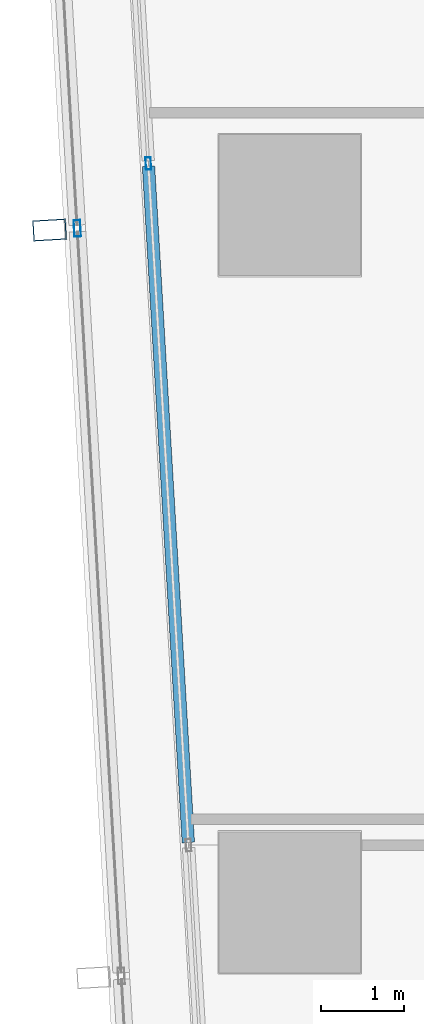
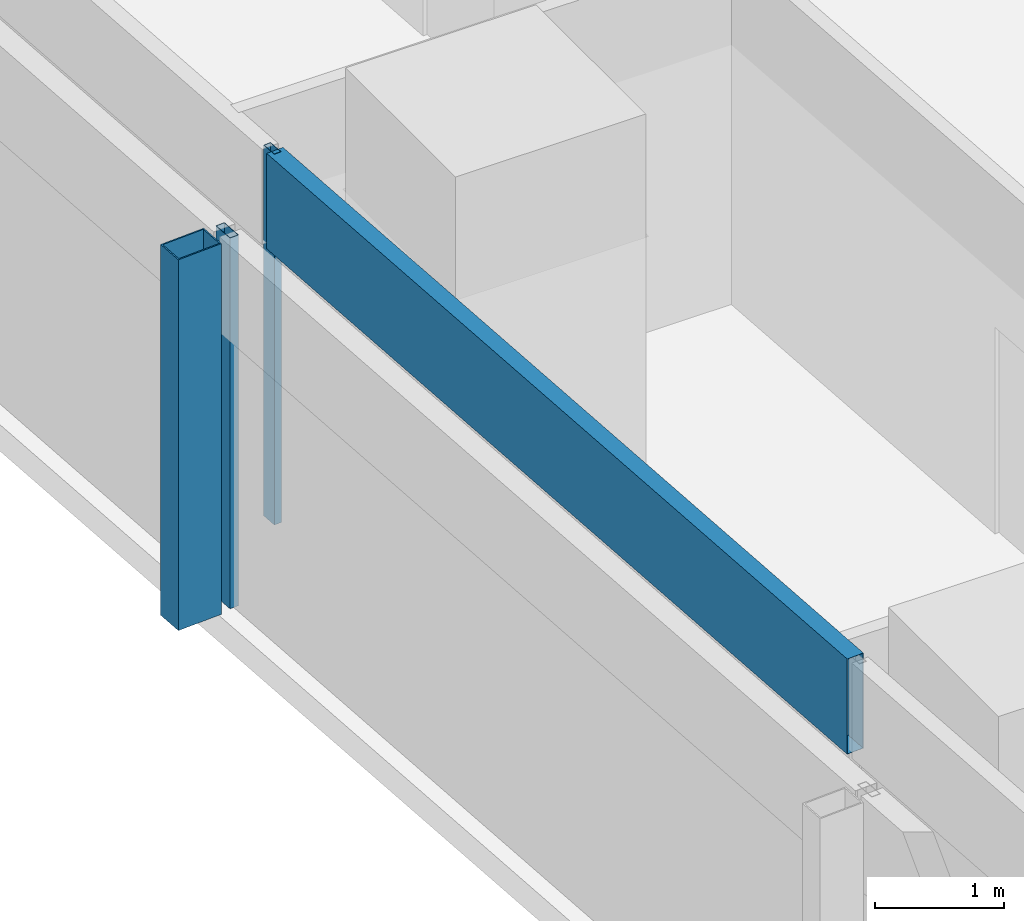
# One storey, part 8 of 39: 4 members, 2 elements without a shape of their own.
"""IFC4 building model written with IfcOpenShell, lengths in metres."""

import ifcopenshell
import ifcopenshell.guid

model = None  # the IFC model being written
_history = None  # IfcOwnerHistory: only IFC2X3 demands one
_inside = {}  # id of a spatial element -> (the spatial element, [elements in it])
_under = {}  # id of a project, library or spatial element -> (it, [spatial elements below it])
_declared = {}  # id of a project -> (the project, [libraries it declares])
_typed = {}  # id of a type object -> (the type object, [elements of that type])
_made_of = {}  # id of a material, layer set ... -> (it, [elements and type objects made of it])


def new_model(schema):
    """Start an empty IFC model of exactly this schema.

    Asked for "IFC4X3", IfcOpenShell would pick the latest addendum, in which some entities
    have other attributes; the version numbers below select the first issue.
    IFC2X3 requires an IfcOwnerHistory on every rooted entity: one is made here for all.
    """
    global model, _history
    if schema == "IFC4X3":
        model = ifcopenshell.file(schema_version=(4, 3, 0, 0))
    else:
        model = ifcopenshell.file(schema=schema)
    _inside.clear()
    _under.clear()
    _declared.clear()
    _typed.clear()
    _made_of.clear()
    _history = None
    if model.schema == "IFC2X3":
        org = make("IfcOrganization", Name="unknown")
        user = make(
            "IfcPersonAndOrganization",
            ThePerson=make("IfcPerson", FamilyName="unknown"),
            TheOrganization=org,
        )
        app = make(
            "IfcApplication",
            ApplicationDeveloper=org,
            Version="unknown",
            ApplicationFullName="unknown",
            ApplicationIdentifier="unknown",
        )
        _history = make(
            "IfcOwnerHistory",
            OwningUser=user,
            OwningApplication=app,
            ChangeAction="ADDED",
            CreationDate=0,
        )
    return model


def make(cls, **values):
    """One entity of the class cls with the attributes given. An attribute that is None is left unset."""
    return model.create_entity(
        cls, **{name: value for name, value in values.items() if value is not None}
    )


def rooted(cls, **values):
    """An entity with a GlobalId (a new one), such as an element, a storey or a relation."""
    return make(cls, GlobalId=ifcopenshell.guid.new(), OwnerHistory=_history, **values)


def si_unit(unit_type, name, prefix=None):
    """IfcSIUnit, for example si_unit("LENGTHUNIT", "METRE", prefix="MILLI")."""
    return make("IfcSIUnit", UnitType=unit_type, Prefix=prefix, Name=name)


def assignment(units):
    """IfcUnitAssignment: the units of a project."""
    return None if units is None else make("IfcUnitAssignment", Units=units)


def point(xyz):
    """IfcCartesianPoint."""
    return None if xyz is None else make("IfcCartesianPoint", Coordinates=xyz)


def direction(xyz):
    """IfcDirection."""
    return None if xyz is None else make("IfcDirection", DirectionRatios=xyz)


def frame(location, z_axis=None, x_axis=None):
    """IfcAxis2Placement3D, a coordinate frame: its origin and axes. An axis left out is left unset."""
    return make(
        "IfcAxis2Placement3D",
        Location=point(location),
        Axis=direction(z_axis),
        RefDirection=direction(x_axis),
    )


def frame_2d(location, x_axis=None):
    """IfcAxis2Placement2D, a coordinate frame in the plane: its origin and x axis."""
    return make(
        "IfcAxis2Placement2D", Location=point(location), RefDirection=direction(x_axis)
    )


def origin():
    """The frame at (0, 0, 0) with its axes left unset."""
    return frame((0.0, 0.0, 0.0))


def origin_2d():
    """The frame at (0, 0) in the plane with its x axis left unset."""
    return frame_2d((0.0, 0.0))


def place(relative_to, where):
    """IfcLocalPlacement: puts the frame where relative to a parent placement (None: the world)."""
    return make(
        "IfcLocalPlacement", PlacementRelTo=relative_to, RelativePlacement=where
    )


def context(
    kind, dimensions, precision=None, world=None, true_north=None, identifier=None
):
    """IfcGeometricRepresentationContext, for example the 3D "Model" context."""
    return make(
        "IfcGeometricRepresentationContext",
        ContextIdentifier=identifier,
        ContextType=kind,
        CoordinateSpaceDimension=dimensions,
        Precision=precision,
        WorldCoordinateSystem=world,
        TrueNorth=true_north,
    )


def subcontext(parent, identifier, kind, view, scale=None):
    """IfcGeometricRepresentationSubContext, for example "Body" below "Model"."""
    return make(
        "IfcGeometricRepresentationSubContext",
        ContextIdentifier=identifier,
        ContextType=kind,
        ParentContext=parent,
        TargetScale=scale,
        TargetView=view,
    )


def project(units=None, contexts=None):
    """IfcProject with its units and contexts."""
    return rooted(
        "IfcProject",
        Name="project",
        RepresentationContexts=contexts,
        UnitsInContext=assignment(units),
    )


def spatial(cls, under=None, at=None, **own):
    """A site, building, storey or space (cls), placed at a placement, below another one or the project."""
    s = rooted(cls, ObjectPlacement=at, **own)
    if under is not None:
        _under.setdefault(under.id(), (under, []))[1].append(s)
    return s


def profile(cls, at=None, kind="AREA", **sizes):
    """A parametric profile (cls). Its sizes go by their IFC names, for example OverallWidth=200.0."""
    return make(cls, ProfileType=kind, Position=at, **sizes)


def hollow_rectangle(**sizes):
    """IfcRectangleHollowProfileDef."""
    return profile("IfcRectangleHollowProfileDef", **sizes)


def extrude(swept, where, along, depth):
    """IfcExtrudedAreaSolid: the profile swept, set in the frame where, extruded along a direction by depth."""
    return make(
        "IfcExtrudedAreaSolid",
        SweptArea=swept,
        Position=where,
        ExtrudedDirection=direction(along),
        Depth=depth,
    )


def shape(context_of_items, identifier, shape_type, items):
    """IfcShapeRepresentation: the items that make up one representation, for example the "Body"."""
    return make(
        "IfcShapeRepresentation",
        ContextOfItems=context_of_items,
        RepresentationIdentifier=identifier,
        RepresentationType=shape_type,
        Items=items,
    )


def material(Name=None, Category=None):
    """IfcMaterial."""
    return make("IfcMaterial", Name=Name, Category=Category)


def material_profile(
    of_material, cross_section, Name=None, Category=None, Priority=None
):
    """IfcMaterialProfile: a cross section and its material."""
    return make(
        "IfcMaterialProfile",
        Name=Name,
        Material=of_material,
        Profile=cross_section,
        Priority=Priority,
        Category=Category,
    )


def profile_set(profiles, Name=None, composite=None):
    """IfcMaterialProfileSet."""
    return make(
        "IfcMaterialProfileSet",
        Name=Name,
        MaterialProfiles=profiles,
        CompositeProfile=composite,
    )


def made_of(thing, what):
    """Note that an element or type object is made of a material, layer set ...; save() writes the relation."""
    if what is not None:
        _made_of.setdefault(what.id(), (what, []))[1].append(thing)
    return thing


def type_object(cls, material=None, **own):
    """A type object (cls), such as IfcWallType, which elements share."""
    return made_of(rooted(cls, **own), material)


def element(
    cls,
    number,
    at=None,
    inside=None,
    cuts=None,
    type_object=None,
    material=None,
    context=None,
    identifier="Body",
    shape_type=None,
    held_by="IfcProductDefinitionShape",
    body=None,
    shapes=None,
    **own,
):
    """One element of the class cls, such as IfcWall. Its Tag is "e" and its number.

    at: its placement. inside: the storey or other place that contains it. cuts: it is an
    opening in that element (IfcRelVoidsElement). A single representation is given by context,
    identifier, shape_type and body (its items); several are given by shapes. held_by: the class
    of the entity that holds the representations. save() writes the other relations.
    """
    e = rooted(cls, Tag="e%d" % number, ObjectPlacement=at, **own)
    if body is not None:
        shapes = [shape(context, identifier, shape_type, body)]
    if shapes is not None:
        e.Representation = make(held_by, Representations=shapes)
    if inside is not None:
        _inside.setdefault(inside.id(), (inside, []))[1].append(e)
    if cuts is not None:
        rooted(
            "IfcRelVoidsElement", RelatingBuildingElement=cuts, RelatedOpeningElement=e
        )
    if type_object is not None:
        _typed.setdefault(type_object.id(), (type_object, []))[1].append(e)
    return made_of(e, material)


def aggregate(whole, parts):
    """IfcRelAggregates: a whole, such as a stair, and the parts it consists of."""
    return rooted("IfcRelAggregates", RelatingObject=whole, RelatedObjects=parts)


def save(model, path):
    """Write the relations noted so far, then the file.

    IfcRelAggregates (storeys below a building ...), IfcRelContainedInSpatialStructure (elements
    in a storey), IfcRelDefinesByType, IfcRelAssociatesMaterial and IfcRelDeclares: one each for
    every whole, place, type object, material and project.
    """
    for whole, parts in _under.values():
        aggregate(whole, parts)
    for where, things in _inside.values():
        rooted(
            "IfcRelContainedInSpatialStructure",
            RelatedElements=things,
            RelatingStructure=where,
        )
    for kind, things in _typed.values():
        rooted("IfcRelDefinesByType", RelatedObjects=things, RelatingType=kind)
    for what, things in _made_of.values():
        rooted("IfcRelAssociatesMaterial", RelatedObjects=things, RelatingMaterial=what)
    for by, libraries in _declared.values():
        rooted("IfcRelDeclares", RelatingContext=by, RelatedDefinitions=libraries)
    model.write(path)


model = new_model("IFC4")

# Units and contexts
model_context = context("Model", 3, precision=1e-05, world=origin(), true_north=direction((0.0, 1.0)))
body_context = subcontext(model_context, "Body", "Model", "MODEL_VIEW")
ifc_project = project(units=[si_unit("LENGTHUNIT", "METRE"), si_unit("AREAUNIT", "SQUARE_METRE"), si_unit("VOLUMEUNIT", "CUBIC_METRE"), si_unit("PLANEANGLEUNIT", "RADIAN"), si_unit("MASSUNIT", "GRAM", prefix="KILO")], contexts=[model_context])

# Site, building, storey
site_placement = place(None, origin())
site = spatial("IfcSite", under=ifc_project, at=site_placement, CompositionType="ELEMENT")
building_placement = place(site_placement, origin())
building = spatial("IfcBuilding", under=site, at=building_placement, Name="Rekha Terrace Tower", CompositionType="ELEMENT")
storey_placement = place(building_placement, frame((0.0, 0.0, 183.949951171875)))
storey = spatial("IfcBuildingStorey", under=building, at=storey_placement, Name="L46", CompositionType="ELEMENT", Elevation=183.949951171875)

# Curtain wall, member
ifc_material_1 = material(Name="Aluminium framing", Category="aluminium")
curtain_wall_type_1 = type_object("IfcCurtainWallType", Name="CW2 double skin outer glazing", PredefinedType="USERDEFINED", material=ifc_material_1)
curtain_wall_1_placement = place(storey_placement, origin())
curtain_wall_1 = element("IfcCurtainWall", 1, at=curtain_wall_1_placement, inside=storey, type_object=curtain_wall_type_1, Name="CW2 double skin outer glazing", ObjectType="DOUBLE SKIN OUTER GLAZING", PredefinedType="USERDEFINED")
ifc_material_2 = material(Name="Steel S355 with fluorocarbon finish", Category="steel")
ifc_material_profile_1 = material_profile(ifc_material_2, hollow_rectangle(XDim=0.25, YDim=0.39990234375, WallThickness=0.012451171875, at=origin_2d()), Name="RHS400x250x12.5")
ifc_profile_set_1 = profile_set([ifc_material_profile_1], Name="Steel S355 with fluorocarbon finish")
member_type_1 = type_object("IfcMemberType", Name="BL1 facade blade RHS 400 x 250", PredefinedType="USERDEFINED", material=ifc_profile_set_1)
member_1_placement = place(storey_placement, frame((5.50634765625, 33.300048828125, 0.0), z_axis=(0.0, 0.0, 1.0), x_axis=(0.058764522885, -0.998271872212, 0.0)))
member_1 = element("IfcMember", 2, at=member_1_placement, type_object=member_type_1, Name="Facade blade", ObjectType="FACADE BLADE", PredefinedType="USERDEFINED", context=body_context, shape_type="SweptSolid", body=[
    extrude(hollow_rectangle(XDim=0.25, YDim=0.39990234375, WallThickness=0.012451171875, at=origin_2d()), origin(), (0.0, 0.0, 1.0), 3.5),
])

# Curtain wall, members
curtain_wall_type_2 = type_object("IfcCurtainWallType", Name="CW1 double skin inner glazing", PredefinedType="USERDEFINED", material=ifc_material_1)
curtain_wall_2_placement = place(storey_placement, origin())
curtain_wall_2 = element("IfcCurtainWall", 3, at=curtain_wall_2_placement, inside=storey, type_object=curtain_wall_type_2, Name="CW1 double skin inner glazing", ObjectType="DOUBLE SKIN INNER GLAZING", PredefinedType="USERDEFINED")
ifc_material_3 = material(Name="Aluminium mullion section", Category="aluminium")
ifc_material_profile_2 = material_profile(ifc_material_3, hollow_rectangle(XDim=0.06494140625, YDim=0.14990234375, WallThickness=0.00390625, at=origin_2d()), Name="AL RHS 65x150")
ifc_profile_set_2 = profile_set([ifc_material_profile_2], Name="Aluminium mullion section")
member_type_2 = type_object("IfcMemberType", Name="CW1 mullion RHS 65 x 150", PredefinedType="MULLION", material=ifc_profile_set_2)
member_2_placement = place(storey_placement, frame((6.6962890625, 34.1015625, 0.0), z_axis=(0.0, 0.0, 1.0), x_axis=(0.998271839267, 0.058765082551, 0.0)))
member_2 = element("IfcMember", 4, at=member_2_placement, type_object=member_type_2, Name="CW1 mullion 2", PredefinedType="MULLION", context=body_context, shape_type="SweptSolid", body=[
    extrude(hollow_rectangle(XDim=0.06494140625, YDim=0.14990234375, WallThickness=0.00390625, at=origin_2d()), origin(), (0.0, 0.0, 1.0), 3.5),
])
ifc_material_4 = material(Name="Insulated aluminium spandrel box", Category="aluminium")
ifc_material_profile_3 = material_profile(ifc_material_4, hollow_rectangle(XDim=0.14990234375, YDim=0.89990234375, WallThickness=0.0029296875, at=origin_2d()), Name="AL SPANDREL BOX 150x900")
ifc_profile_set_3 = profile_set([ifc_material_profile_3], Name="Insulated aluminium spandrel box")
member_type_3 = type_object("IfcMemberType", Name="CW1 spandrel transom 150 x 900", PredefinedType="USERDEFINED", material=ifc_profile_set_3)
member_3_placement = place(storey_placement, frame((6.6982421875, 34.069091796875, 3.050048828125), z_axis=(0.05874481603, -0.998273032086, 0.0), x_axis=(0.998273032086, 0.05874481603, 0.0)))
member_3 = element("IfcMember", 5, at=member_3_placement, type_object=member_type_3, Name="CW1 spandrel transom 2", ObjectType="TRANSOM", PredefinedType="USERDEFINED", context=body_context, shape_type="SweptSolid", body=[
    extrude(hollow_rectangle(XDim=0.14990234375, YDim=0.89990234375, WallThickness=0.0029296875, at=origin_2d()), origin(), (0.0, 0.0, 1.0), 8.162353515625),
])
aggregate(curtain_wall_2, [member_2, member_3])

# Member
ifc_material_profile_4 = material_profile(ifc_material_3, hollow_rectangle(XDim=0.080078125, YDim=0.199951171875, WallThickness=0.00390625, at=origin_2d()), Name="AL RHS 80x200")
ifc_profile_set_4 = profile_set([ifc_material_profile_4], Name="Aluminium mullion section")
member_type_4 = type_object("IfcMemberType", Name="CW2 mullion RHS 80 x 200", PredefinedType="MULLION", material=ifc_profile_set_4)
member_4_placement = place(storey_placement, frame((5.840576171875, 33.31982421875, 0.0), z_axis=(0.0, 0.0, 1.0), x_axis=(0.99827183927, 0.058765082499, 0.0)))
member_4 = element("IfcMember", 6, at=member_4_placement, type_object=member_type_4, Name="CW2 mullion 2", PredefinedType="MULLION", context=body_context, shape_type="SweptSolid", body=[
    extrude(hollow_rectangle(XDim=0.080078125, YDim=0.199951171875, WallThickness=0.00390625, at=origin_2d()), origin(), (0.0, 0.0, 1.0), 3.5),
])

aggregate(curtain_wall_1, [member_4, member_1])

save(model, "model.ifc")
